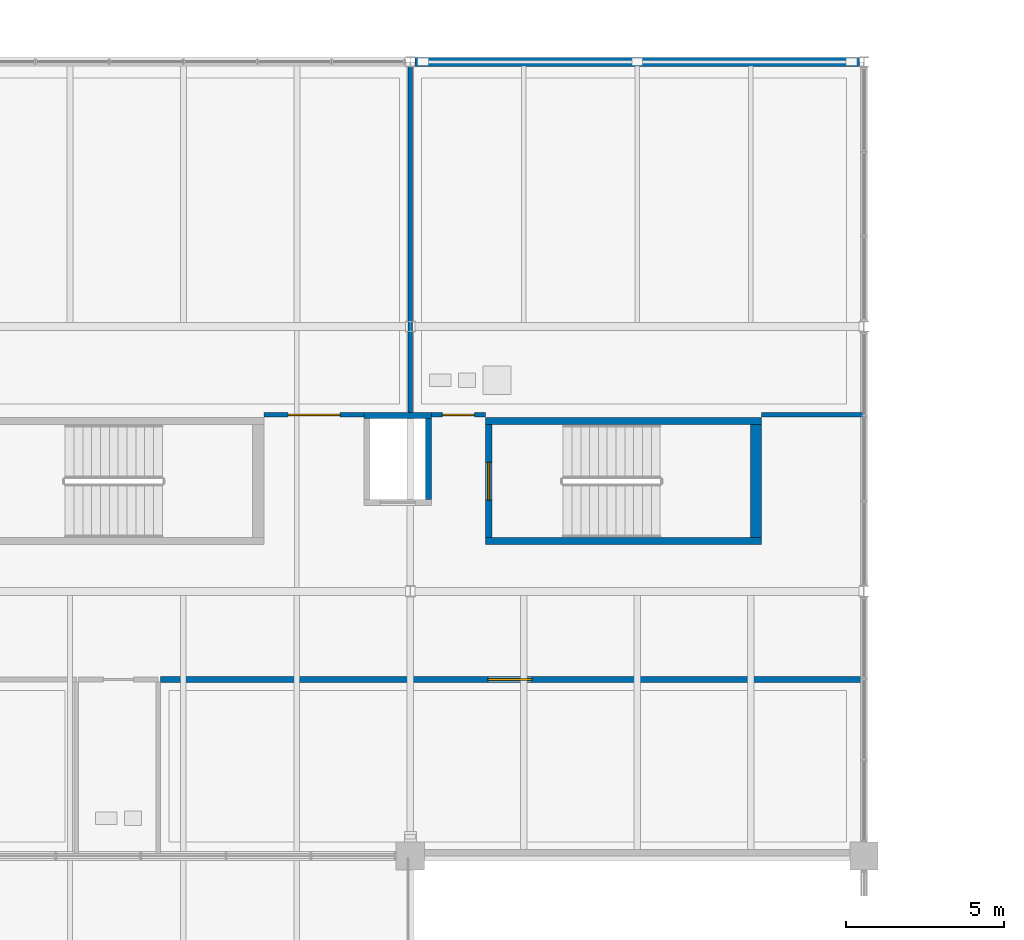
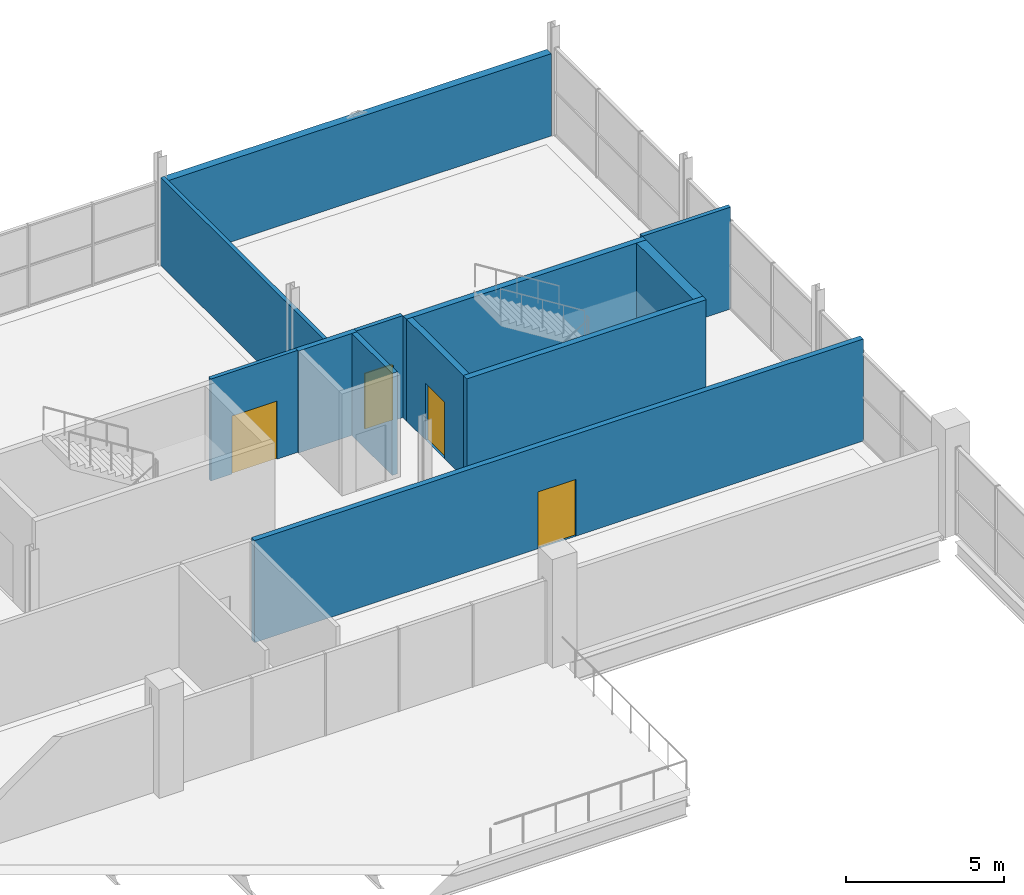
# One storey, part 81 of 93: 12 walls, 4 doors, 4 openings.
"""IFC4 building model written with IfcOpenShell, lengths in metres."""

from ifc_helpers import new_model, si_unit, direction, frame, frame_2d, origin, place, context, subcontext, project, spatial, rectangle, extrude, material, layer, layer_set, type_object, element, fill, save


model = new_model("IFC4")

# Units and contexts
model_context = context("Model", 3, precision=1e-05, world=origin(), true_north=direction((0.0, 1.0)))
body_context = subcontext(model_context, "Body", "Model", "MODEL_VIEW")
ifc_project = project(units=[si_unit("LENGTHUNIT", "METRE"), si_unit("AREAUNIT", "SQUARE_METRE"), si_unit("VOLUMEUNIT", "CUBIC_METRE"), si_unit("PLANEANGLEUNIT", "RADIAN"), si_unit("MASSUNIT", "GRAM", prefix="KILO"), si_unit("THERMODYNAMICTEMPERATUREUNIT", "KELVIN")], contexts=[model_context])

# Site, building, storey
site_placement = place(None, origin())
site = spatial("IfcSite", under=ifc_project, at=site_placement, CompositionType="ELEMENT")
building_placement = place(site_placement, origin())
building = spatial("IfcBuilding", under=site, at=building_placement, Name="Nduvali Passage Aquatics Centre", CompositionType="ELEMENT")
storey_placement = place(building_placement, frame((0.0, 0.0, 9.0)))
storey = spatial("IfcBuildingStorey", under=building, at=storey_placement, Name="L02", CompositionType="ELEMENT", Elevation=9.0)

# Wall
ifc_material_1 = material(Name="Coral-stone masonry blockwork", Category="masonry")
ifc_layer_1 = layer(ifc_material_1, 0.280029296875, Name="Coral-stone masonry blockwork")
ifc_layer_set_1 = layer_set([ifc_layer_1], Name="Coral-stone masonry blockwork")
wall_type_1 = type_object("IfcWallType", Name="ENV-WAL-CORAL280", PredefinedType="STANDARD", material=ifc_layer_set_1)
wall_1_placement = place(storey_placement, frame((125.85009765625, 117.60009765625, 0.0), z_axis=(0.0, 0.0, 1.0), x_axis=(-1.0, 0.0, 0.0)))
element("IfcWall", 1, at=wall_1_placement, inside=storey, type_object=wall_type_1, Name="L02 North Avenue Civic Facade 0067", PredefinedType="STANDARD", context=body_context, shape_type="SweptSolid", body=[
    extrude(rectangle(XDim=14.10009765625, YDim=0.280029296875, at=frame_2d((7.050048828125, 0.0))), origin(), (0.0, 0.0, 1.0), 3.183837890625),
])

# Wall, opening, door
ifc_layer_2 = layer(ifc_material_1, 0.199951171875, Name="Coral-stone masonry blockwork")
ifc_layer_set_2 = layer_set([ifc_layer_2], Name="Coral-stone masonry blockwork")
wall_type_2 = type_object("IfcWallType", Name="INT-WAL-COMP200", PredefinedType="PARTITIONING", material=ifc_layer_set_2)
wall_2_placement = place(storey_placement, frame((103.675048828125, 98.0, 0.0), z_axis=(0.0, 0.0, 1.0), x_axis=(1.0, 0.0, 0.0)))
wall_2 = element("IfcWall", 2, at=wall_2_placement, inside=storey, type_object=wall_type_2, Name="L02 Clinical Diagnostics and Rehab Equipment Store Partition 0201", PredefinedType="PARTITIONING", context=body_context, shape_type="SweptSolid", body=[
    extrude(rectangle(XDim=22.304931640625, YDim=0.199951171875, at=frame_2d((11.15234375, 0.0))), origin(), (0.0, 0.0, 1.0), 3.949951171875),
])
opening_1_placement = place(wall_2_placement, frame((10.383056640625, 0.0, 0.0)))
opening_1 = element("IfcOpeningElement", 3, at=opening_1_placement, cuts=wall_2, Name="Opening FD-P1", PredefinedType="OPENING", context=body_context, shape_type="SweptSolid", body=[
    extrude(rectangle(XDim=1.39990234375, YDim=2.199951171875, at=frame_2d((0.699951171875, 1.10009765625))), frame((0.0, 0.11474609375, 0.0), z_axis=(0.0, -1.0, 0.0), x_axis=(1.0, 0.0, 0.0)), (0.0, 0.0, 1.0), 0.229736328125),
])
ifc_material_2 = material(Name="Galvanised steel door", Category="steel")
door_type_1 = type_object("IfcDoorType", Name="INT-DR-PLNT140", OperationType="DOUBLE_DOOR_SINGLE_SWING", PredefinedType="DOOR", material=ifc_material_2)
door_1_placement = place(opening_1_placement, origin())
door_1 = element("IfcDoor", 4, at=door_1_placement, inside=storey, type_object=door_type_1, Name="L02 Clinical Diagnostics and Rehab Equipment Store Door 0068", OperationType="DOUBLE_DOOR_SINGLE_SWING", OverallHeight=2.199951171875, OverallWidth=1.39990234375, PredefinedType="DOOR", context=body_context, shape_type="SweptSolid", body=[
    extrude(rectangle(XDim=1.39990234375, YDim=2.199951171875, at=frame_2d((0.699951171875, 1.10009765625))), frame((0.0, 0.02490234375, 0.0), z_axis=(0.0, -1.0, 0.0), x_axis=(1.0, 0.0, 0.0)), (0.0, 0.0, 1.0), 0.050048828125),
])
fill(opening_1, door_1)

# Walls
ifc_material_3 = material(Name="Concrete C40/50", Category="concrete")
ifc_layer_3 = layer(ifc_material_3, 0.219970703125, Name="Concrete C40/50")
ifc_layer_set_3 = layer_set([ifc_layer_3], Name="Concrete C40/50")
wall_type_3 = type_object("IfcWallType", Name="INT-WAL-CORE220", PredefinedType="SOLIDWALL", material=ifc_layer_set_3)
for number, where, z_axis, x_axis, name in (
    (5, (113.97998046875, 102.389892578125, 0.0), (0.0, 0.0, 1.0), (1.0, 0.0, 0.0), "L02 Stair ST2 Core Wall S"),
    (6, (122.75, 106.199951171875, 0.0), (0.0, 0.0, 1.0), (-1.0, 0.0, 0.0), "L02 Stair ST2 Core Wall N"),
):
    element("IfcWall", number, at=place(storey_placement, frame(where, z_axis=z_axis, x_axis=x_axis)), inside=storey, type_object=wall_type_3, Name=name, PredefinedType="SOLIDWALL", context=body_context, shape_type="SweptSolid", body=[
        extrude(rectangle(XDim=8.77001953125, YDim=0.219970703125, at=frame_2d((4.385009765625, 0.0))), origin(), (0.0, 0.0, 1.0), 3.949951171875),
    ])

# Wall, opening, door
wall_3_placement = place(storey_placement, frame((114.090087890625, 106.090087890625, 0.0), z_axis=(0.0, 0.0, 1.0), x_axis=(0.0, -1.0, 0.0)))
wall_3 = element("IfcWall", 7, at=wall_3_placement, inside=storey, type_object=wall_type_3, Name="L02 Stair ST2 Core Wall W", PredefinedType="SOLIDWALL", context=body_context, shape_type="SweptSolid", body=[
    extrude(rectangle(XDim=3.590087890625, YDim=0.219970703125, at=frame_2d((1.794921875, 0.0))), origin(), (0.0, 0.0, 1.0), 3.949951171875),
])
opening_2_placement = place(wall_3_placement, frame((1.195068359375, 0.0, 0.0)))
opening_2 = element("IfcOpeningElement", 8, at=opening_2_placement, cuts=wall_3, Name="Opening FD-ST2", PredefinedType="OPENING", context=body_context, shape_type="SweptSolid", body=[
    extrude(rectangle(XDim=1.199951171875, YDim=2.199951171875, at=frame_2d((0.60009765625, 1.10009765625))), frame((0.0, 0.125, 0.0), z_axis=(0.0, -1.0, 0.0), x_axis=(1.0, 0.0, 0.0)), (0.0, 0.0, 1.0), 0.249755859375),
])
door_type_2 = type_object("IfcDoorType", Name="INT-DR-ST120", OperationType="NOTDEFINED", PredefinedType="DOOR", material=ifc_material_2)
door_2_placement = place(opening_2_placement, frame((1.199951171875, 0.0, 0.0), z_axis=(0.0, 0.0, 1.0), x_axis=(-1.0, 0.0, 0.0)))
door_2 = element("IfcDoor", 9, at=door_2_placement, inside=storey, type_object=door_type_2, Name="L02 Stair ST2 Fire Lobby Door", OperationType="SINGLE_SWING_LEFT", OverallHeight=2.199951171875, OverallWidth=1.199951171875, PredefinedType="DOOR", context=body_context, shape_type="SweptSolid", body=[
    extrude(rectangle(XDim=1.199951171875, YDim=2.199951171875, at=frame_2d((0.60009765625, 1.10009765625))), frame((0.0, 0.02490234375, 0.0), z_axis=(0.0, -1.0, 0.0), x_axis=(1.0, 0.0, 0.0)), (0.0, 0.0, 1.0), 0.050048828125),
])
fill(opening_2, door_2)

ifc_material_4 = material(Name="Gypsum acoustic stud partition")
ifc_layer_4 = layer(ifc_material_4, 0.139892578125, Name="Gypsum acoustic stud partition")
ifc_layer_set_4 = layer_set([ifc_layer_4], Name="Gypsum acoustic stud partition")
wall_type_4 = type_object("IfcWallType", Name="INT-WAL-PART140", PredefinedType="PARTITIONING", material=ifc_layer_set_4)
wall_4_placement = place(storey_placement, frame((106.949951171875, 106.39990234375, 0.0), z_axis=(0.0, 0.0, 1.0), x_axis=(1.0, 0.0, 0.0)))
wall_4 = element("IfcWall", 10, at=wall_4_placement, inside=storey, type_object=wall_type_4, Name="L02 Physiotherapy and Aquatic Rehabilitation Clinic Partition 0188", PredefinedType="PARTITIONING", context=body_context, shape_type="SweptSolid", body=[
    extrude(rectangle(XDim=3.179931640625, YDim=0.139892578125, at=frame_2d((1.58984375, 0.0))), origin(), (0.0, 0.0, 1.0), 3.949951171875),
])
opening_3_placement = place(wall_4_placement, frame((0.77001953125, 0.0, 0.0)))
opening_3 = element("IfcOpeningElement", 11, at=opening_3_placement, cuts=wall_4, Name="Opening SD1", PredefinedType="OPENING", context=body_context, shape_type="SweptSolid", body=[
    extrude(rectangle(XDim=1.64990234375, YDim=2.25, at=frame_2d((0.824951171875, 1.125))), frame((0.0, 0.0849609375, 0.0), z_axis=(0.0, -1.0, 0.0), x_axis=(1.0, 0.0, 0.0)), (0.0, 0.0, 1.0), 0.169677734375),
])
ifc_material_5 = material(Name="Aluminium-framed glazed door", Category="aluminium")
door_type_3 = type_object("IfcDoorType", Name="INT-DR-SLD160", OperationType="DOUBLE_DOOR_SLIDING", PredefinedType="DOOR", material=ifc_material_5)
door_3_placement = place(opening_3_placement, origin())
door_3 = element("IfcDoor", 12, at=door_3_placement, inside=storey, type_object=door_type_3, Name="L02 Physiotherapy and Aquatic Rehabilitation Clinic Door 0064", OperationType="DOUBLE_DOOR_SLIDING", OverallHeight=2.25, OverallWidth=1.64990234375, PredefinedType="DOOR", context=body_context, shape_type="SweptSolid", body=[
    extrude(rectangle(XDim=1.64990234375, YDim=2.25, at=frame_2d((0.824951171875, 1.125))), frame((0.0, 0.02490234375, 0.0), z_axis=(0.0, -1.0, 0.0), x_axis=(1.0, 0.0, 0.0)), (0.0, 0.0, 1.0), 0.050048828125),
])
fill(opening_3, door_3)

# Walls
wall_5_placement = place(storey_placement, frame((111.60009765625, 106.469970703125, 0.0), z_axis=(0.0, 0.0, 1.0), x_axis=(0.0, 1.0, 0.0)))
element("IfcWall", 13, at=wall_5_placement, inside=storey, type_object=wall_type_4, Name="L02 Physiotherapy and Aquatic Rehabilitation Clinic Partition 0190", PredefinedType="PARTITIONING", context=body_context, shape_type="SweptSolid", body=[
    extrude(rectangle(XDim=10.989990234375, YDim=0.139892578125, at=frame_2d((5.4951171875, 0.0))), origin(), (0.0, 0.0, 1.0), 3.406494140625),
])
ifc_layer_5 = layer(ifc_material_3, 0.18994140625, Name="Concrete C40/50")
ifc_layer_set_5 = layer_set([ifc_layer_5], Name="Concrete C40/50")
wall_type_5 = type_object("IfcWallType", Name="INT-WAL-SHAFT200", PredefinedType="SOLIDWALL", material=ifc_layer_set_5)
wall_6_placement = place(storey_placement, frame((112.175048828125, 103.719970703125, 0.0), z_axis=(0.0, 0.0, 1.0), x_axis=(0.0, 1.0, 0.0)))
element("IfcWall", 14, at=wall_6_placement, inside=storey, type_object=wall_type_5, Name="L02 Lift L3 Shaft Wall E", PredefinedType="SOLIDWALL", context=body_context, shape_type="SweptSolid", body=[
    extrude(rectangle(XDim=2.56005859375, YDim=0.18994140625, at=frame_2d((1.280029296875, 0.0))), origin(), (0.0, 0.0, 1.0), 3.949951171875),
])
wall_7_placement = place(storey_placement, frame((112.27001953125, 106.375, 0.0), z_axis=(0.0, 0.0, 1.0), x_axis=(-1.0, 0.0, 0.0)))
element("IfcWall", 15, at=wall_7_placement, inside=storey, type_object=wall_type_5, Name="L02 Lift L3 Shaft Wall N", PredefinedType="SOLIDWALL", context=body_context, shape_type="SweptSolid", body=[
    extrude(rectangle(XDim=2.14013671875, YDim=0.18994140625, at=frame_2d((1.070068359375, 0.0))), origin(), (0.0, 0.0, 1.0), 3.949951171875),
])

# Wall, opening, door
ifc_layer_6 = layer(ifc_material_1, 0.14990234375, Name="Coral-stone masonry blockwork")
ifc_layer_set_6 = layer_set([ifc_layer_6], Name="Coral-stone masonry blockwork")
wall_type_6 = type_object("IfcWallType", Name="INT-WAL-WET150", PredefinedType="PLUMBINGWALL", material=ifc_layer_set_6)
wall_8_placement = place(storey_placement, frame((112.27001953125, 106.39990234375, 0.0), z_axis=(0.0, 0.0, 1.0), x_axis=(1.0, 0.0, 0.0)))
wall_8 = element("IfcWall", 16, at=wall_8_placement, inside=storey, type_object=wall_type_6, Name="L02 Sports Hydro-Rehabilitation and Gait Suite Partition 0191", PredefinedType="PLUMBINGWALL", context=body_context, shape_type="SweptSolid", body=[
    extrude(rectangle(XDim=1.7099609375, YDim=0.14990234375, at=frame_2d((0.85498046875, 0.0))), origin(), (0.0, 0.0, 1.0), 3.949951171875),
])
opening_4_placement = place(wall_8_placement, frame((0.344970703125, 0.0, 0.0)))
opening_4 = element("IfcOpeningElement", 17, at=opening_4_placement, cuts=wall_8, Name="Opening ID1", PredefinedType="OPENING", context=body_context, shape_type="SweptSolid", body=[
    extrude(rectangle(XDim=1.02001953125, YDim=2.14990234375, at=frame_2d((0.510009765625, 1.074951171875))), frame((0.0, 0.08984375, 0.0), z_axis=(0.0, -1.0, 0.0), x_axis=(1.0, 0.0, 0.0)), (0.0, 0.0, 1.0), 0.1796875),
])
ifc_material_6 = material(Name="Timber solid-core door", Category="wood")
door_type_4 = type_object("IfcDoorType", Name="INT-DR-STD100", OperationType="NOTDEFINED", PredefinedType="DOOR", material=ifc_material_6)
door_4_placement = place(opening_4_placement, frame((1.02001953125, 0.0, 0.0), z_axis=(0.0, 0.0, 1.0), x_axis=(-1.0, 0.0, 0.0)))
door_4 = element("IfcDoor", 18, at=door_4_placement, inside=storey, type_object=door_type_4, Name="L02 Sports Hydro-Rehabilitation and Gait Suite Door 0065", OperationType="SINGLE_SWING_RIGHT", OverallHeight=2.14990234375, OverallWidth=1.02001953125, PredefinedType="DOOR", context=body_context, shape_type="SweptSolid", body=[
    extrude(rectangle(XDim=1.02001953125, YDim=2.14990234375, at=frame_2d((0.510009765625, 1.074951171875))), frame((0.0, 0.02490234375, 0.0), z_axis=(0.0, -1.0, 0.0), x_axis=(1.0, 0.0, 0.0)), (0.0, 0.0, 1.0), 0.050048828125),
])
fill(opening_4, door_4)

# Walls
wall_9_placement = place(storey_placement, frame((122.75, 106.39990234375, 0.0), z_axis=(0.0, 0.0, 1.0), x_axis=(1.0, 0.0, 0.0)))
element("IfcWall", 19, at=wall_9_placement, inside=storey, type_object=wall_type_6, Name="L02 Sports Hydro-Rehabilitation and Gait Suite Partition 0192", PredefinedType="PLUMBINGWALL", context=body_context, shape_type="SweptSolid", body=[
    extrude(rectangle(XDim=3.22998046875, YDim=0.14990234375, at=frame_2d((1.614990234375, 0.0))), origin(), (0.0, 0.0, 1.0), 3.949951171875),
])
ifc_layer_7 = layer(ifc_material_3, 0.35009765625, Name="Concrete C40/50")
ifc_layer_set_7 = layer_set([ifc_layer_7], Name="Concrete C40/50")
wall_type_7 = type_object("IfcWallType", Name="STR-WAL-SHR350", PredefinedType="SHEAR", material=ifc_layer_set_7)
wall_10_placement = place(storey_placement, frame((122.574951171875, 102.5, 0.0), z_axis=(0.0, 0.0, 1.0), x_axis=(0.0, 1.0, 0.0)))
element("IfcWall", 20, at=wall_10_placement, inside=storey, type_object=wall_type_7, Name="L02 Stair ST2 Core Shear Wall E", PredefinedType="SHEAR", context=body_context, shape_type="SweptSolid", body=[
    extrude(rectangle(XDim=3.590087890625, YDim=0.35009765625, at=frame_2d((1.794921875, 0.0))), origin(), (0.0, 0.0, 1.0), 3.949951171875),
])

save(model, "model.ifc")
